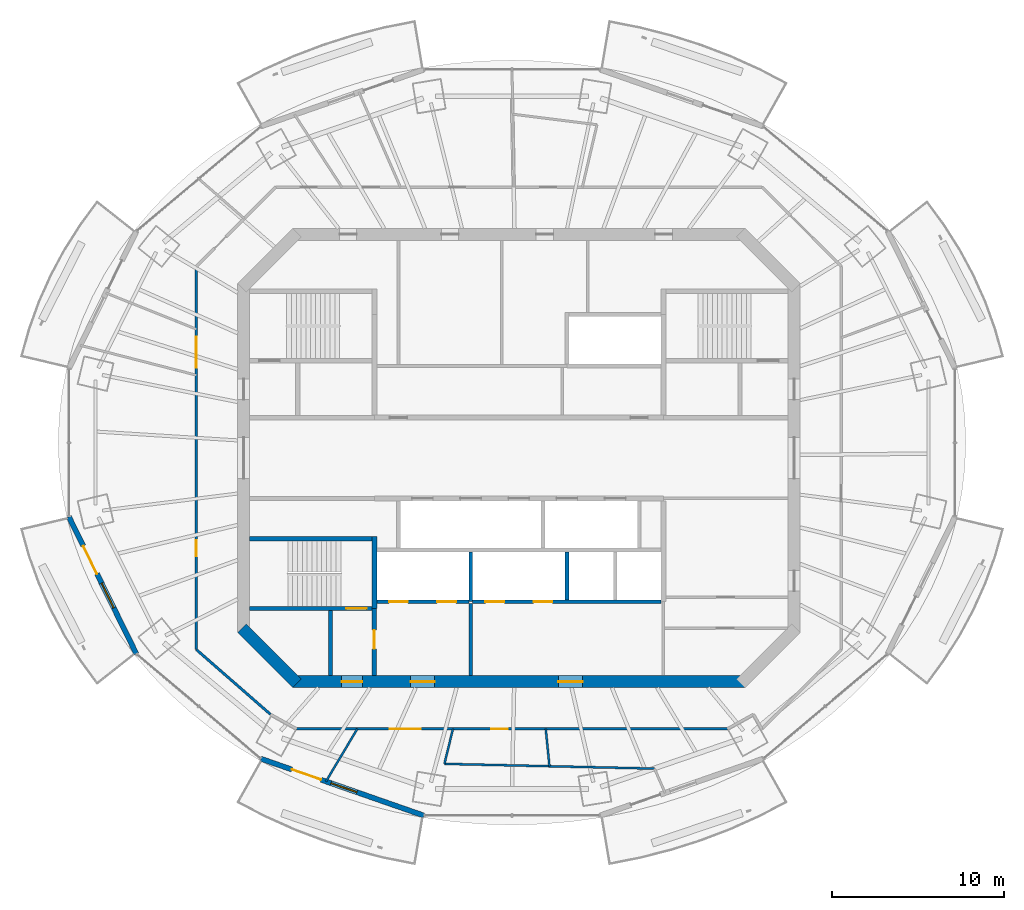
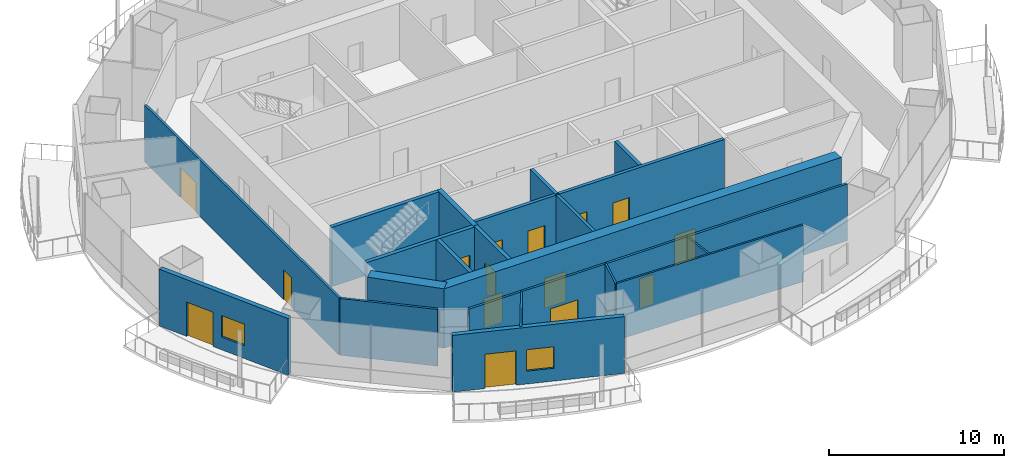
# One storey, part 8 of 16: 21 walls, 15 doors, 2 windows, 17 openings.
"""IFC4 building model written with IfcOpenShell, lengths in metres."""

from ifc_helpers import new_model, si_unit, direction, frame, frame_2d, origin, place, context, subcontext, project, spatial, rectangle, extrude, material, layer, layer_set, type_object, element, fill, save


model = new_model("IFC4")

# Units and contexts
model_context = context("Model", 3, precision=1e-05, world=origin(), true_north=direction((0.0, 1.0)))
body_context = subcontext(model_context, "Body", "Model", "MODEL_VIEW")
ifc_project = project(units=[si_unit("LENGTHUNIT", "METRE"), si_unit("AREAUNIT", "SQUARE_METRE"), si_unit("VOLUMEUNIT", "CUBIC_METRE"), si_unit("PLANEANGLEUNIT", "RADIAN"), si_unit("MASSUNIT", "GRAM", prefix="KILO")], contexts=[model_context])

# Site, building, storey
site_placement = place(None, origin())
site = spatial("IfcSite", under=ifc_project, at=site_placement, CompositionType="ELEMENT")
building_placement = place(site_placement, origin())
building = spatial("IfcBuilding", under=site, at=building_placement, Name="Marenthal Gate Tower", CompositionType="ELEMENT")
storey_placement = place(building_placement, frame((0.0, 0.0, 363.35009765625)))
storey = spatial("IfcBuildingStorey", under=building, at=storey_placement, Name="L82", CompositionType="ELEMENT", Elevation=363.35009765625)

# Wall
ifc_material_1 = material(Name="Concrete 60 MPa", Category="concrete")
ifc_layer_1 = layer(ifc_material_1, 0.699951171875)
ifc_layer_set_1 = layer_set([ifc_layer_1], Name="Core shear wall 700")
wall_type_1 = type_object("IfcWallType", Name="Core shear wall 700", PredefinedType="SHEAR", material=ifc_layer_set_1)
wall_1_placement = place(storey_placement, frame((-16.1025390625, -9.8974609375, -0.18017578125), z_axis=(0.0, 0.0, 1.0), x_axis=(0.707106781187, -0.707106781187, 0.0)))
element("IfcWall", 1, at=wall_1_placement, inside=storey, type_object=wall_type_1, Name="Core wall 07", PredefinedType="SHEAR", context=body_context, shape_type="SweptSolid", body=[
    extrude(rectangle(XDim=4.53271484375, YDim=0.699951171875, at=frame_2d((2.266357421875, 0.0))), origin(), (0.0, 0.0, 1.0), 4.150146484375),
])

# Wall, openings, doors
wall_2_placement = place(storey_placement, frame((-13.14501953125, -13.0, -0.18017578125), z_axis=(0.0, 0.0, 1.0), x_axis=(1.0, 0.0, 0.0)))
wall_2 = element("IfcWall", 2, at=wall_2_placement, inside=storey, type_object=wall_type_1, Name="Core wall 08", PredefinedType="SHEAR", context=body_context, shape_type="SweptSolid", body=[
    extrude(rectangle(XDim=26.2900390625, YDim=0.699951171875, at=frame_2d((13.14501953125, 0.0))), origin(), (0.0, 0.0, 1.0), 4.150146484375),
])
opening_1_placement = place(wall_2_placement, frame((2.844970703125, 0.0, 0.179931640625)))
opening_1 = element("IfcOpeningElement", 3, at=opening_1_placement, cuts=wall_2, Name="Opening D001.06", PredefinedType="OPENING", context=body_context, shape_type="SweptSolid", body=[
    extrude(rectangle(XDim=1.199951171875, YDim=2.10009765625, at=frame_2d((0.60009765625, 1.050048828125))), frame((0.0, 0.35986328125, 0.0), z_axis=(0.0, -1.0, 0.0), x_axis=(1.0, 0.0, 0.0)), (0.0, 0.0, 1.0), 0.719970703125),
])
opening_2_placement = place(wall_2_placement, frame((6.844970703125, 0.0, 0.179931640625)))
opening_2 = element("IfcOpeningElement", 4, at=opening_2_placement, cuts=wall_2, Name="Opening D004.01", PredefinedType="OPENING", context=body_context, shape_type="SweptSolid", body=[
    extrude(rectangle(XDim=1.39990234375, YDim=2.10009765625, at=frame_2d((0.699951171875, 1.050048828125))), frame((0.0, 0.35986328125, 0.0), z_axis=(0.0, -1.0, 0.0), x_axis=(1.0, 0.0, 0.0)), (0.0, 0.0, 1.0), 0.719970703125),
])
opening_3_placement = place(wall_2_placement, frame((15.445068359375, 0.0, 0.179931640625)))
opening_3 = element("IfcOpeningElement", 5, at=opening_3_placement, cuts=wall_2, Name="Opening D004.02", PredefinedType="OPENING", context=body_context, shape_type="SweptSolid", body=[
    extrude(rectangle(XDim=1.39990234375, YDim=2.10009765625, at=frame_2d((0.699951171875, 1.050048828125))), frame((0.0, 0.35986328125, 0.0), z_axis=(0.0, -1.0, 0.0), x_axis=(1.0, 0.0, 0.0)), (0.0, 0.0, 1.0), 0.719970703125),
])
ifc_material_2 = material(Name="Steel fire door", Category="steel")
door_type_1 = type_object("IfcDoorType", Name="Fire door FD 45 1400 x 2100", OperationType="NOTDEFINED", PredefinedType="DOOR", material=ifc_material_2)
door_1_placement = place(opening_2_placement, origin())
door_1 = element("IfcDoor", 6, at=door_1_placement, inside=storey, type_object=door_type_1, Name="Door D004.01", OperationType="SINGLE_SWING_RIGHT", OverallHeight=2.10009765625, OverallWidth=1.39990234375, PredefinedType="DOOR", context=body_context, shape_type="SweptSolid", body=[
    extrude(rectangle(XDim=1.39990234375, YDim=2.10009765625, at=frame_2d((0.699951171875, 1.050048828125))), frame((0.0, 0.02490234375, 0.0), z_axis=(0.0, -1.0, 0.0), x_axis=(1.0, 0.0, 0.0)), (0.0, 0.0, 1.0), 0.050048828125),
])
fill(opening_2, door_1)
door_2_placement = place(opening_3_placement, origin())
door_2 = element("IfcDoor", 7, at=door_2_placement, inside=storey, type_object=door_type_1, Name="Door D004.02", OperationType="SINGLE_SWING_RIGHT", OverallHeight=2.10009765625, OverallWidth=1.39990234375, PredefinedType="DOOR", context=body_context, shape_type="SweptSolid", body=[
    extrude(rectangle(XDim=1.39990234375, YDim=2.10009765625, at=frame_2d((0.699951171875, 1.050048828125))), frame((0.0, 0.02490234375, 0.0), z_axis=(0.0, -1.0, 0.0), x_axis=(1.0, 0.0, 0.0)), (0.0, 0.0, 1.0), 0.050048828125),
])
fill(opening_3, door_2)
ifc_material_3 = material(Name="Steel fire door", Category="steel")
door_type_2 = type_object("IfcDoorType", Name="Fire door FD 90 1200 x 2100", OperationType="NOTDEFINED", PredefinedType="DOOR", material=ifc_material_3)
door_3_placement = place(opening_1_placement, origin())
door_3 = element("IfcDoor", 8, at=door_3_placement, inside=storey, type_object=door_type_2, Name="Door D001.06", OperationType="SINGLE_SWING_RIGHT", OverallHeight=2.10009765625, OverallWidth=1.199951171875, PredefinedType="DOOR", context=body_context, shape_type="SweptSolid", body=[
    extrude(rectangle(XDim=1.199951171875, YDim=2.10009765625, at=frame_2d((0.60009765625, 1.050048828125))), frame((0.0, 0.02490234375, 0.0), z_axis=(0.0, -1.0, 0.0), x_axis=(1.0, 0.0, 0.0)), (0.0, 0.0, 1.0), 0.050048828125),
])
fill(opening_1, door_3)

# Walls
ifc_material_4 = material(Name="Gypsum board on steel studs", Category="steel")
ifc_layer_2 = layer(ifc_material_4, 0.199951171875)
ifc_layer_set_2 = layer_set([ifc_layer_2], Name="Fire lobby wall 200")
wall_type_2 = type_object("IfcWallType", Name="Fire lobby wall 200", PredefinedType="PARTITIONING", material=ifc_layer_set_2)
wall_3_placement = place(storey_placement, frame((-2.800048828125, -12.64990234375, 0.0), z_axis=(0.0, 0.0, 1.0), x_axis=(0.0, 1.0, 0.0)))
element("IfcWall", 9, at=wall_3_placement, inside=storey, type_object=wall_type_2, Name="Fire wall 37", PredefinedType="PARTITIONING", context=body_context, shape_type="SweptSolid", body=[
    extrude(rectangle(XDim=4.18994140625, YDim=0.199951171875, at=frame_2d((2.094970703125, 0.0))), origin(), (0.0, 0.0, 1.0), 3.969970703125),
])
ifc_material_5 = material(Name="Concrete 50 MPa", Category="concrete")
ifc_layer_3 = layer(ifc_material_5, 0.300048828125)
ifc_layer_set_3 = layer_set([ifc_layer_3], Name="Hoistway shear wall 300")
wall_type_3 = type_object("IfcWallType", Name="Hoistway shear wall 300", PredefinedType="SHEAR", material=ifc_layer_set_3)
wall_4_placement = place(storey_placement, frame((-8.39990234375, -8.75, -0.18017578125), z_axis=(0.0, 0.0, 1.0), x_axis=(0.0, 1.0, 0.0)))
element("IfcWall", 10, at=wall_4_placement, inside=storey, type_object=wall_type_3, Name="Hoistway wall 32", PredefinedType="SHEAR", context=body_context, shape_type="SweptSolid", body=[
    extrude(rectangle(XDim=4.175048828125, YDim=0.300048828125, at=frame_2d((2.08740234375, 0.0))), origin(), (0.0, 0.0, 1.0), 4.150146484375),
])

# Wall, openings, doors
ifc_material_6 = material(Name="Concrete 40 MPa", Category="concrete")
ifc_layer_4 = layer(ifc_material_6, 0.219970703125)
ifc_layer_set_4 = layer_set([ifc_layer_4], Name="Hoistway wall 220")
wall_type_4 = type_object("IfcWallType", Name="Hoistway wall 220", PredefinedType="STANDARD", material=ifc_layer_set_4)
wall_5_placement = place(storey_placement, frame((-8.25, -8.35009765625, 0.0), z_axis=(0.0, 0.0, 1.0), x_axis=(1.0, 0.0, 0.0)))
wall_5 = element("IfcWall", 11, at=wall_5_placement, inside=storey, type_object=wall_type_4, Name="Hoistway wall 11", PredefinedType="STANDARD", context=body_context, shape_type="SweptSolid", body=[
    extrude(rectangle(XDim=5.340087890625, YDim=0.219970703125, at=frame_2d((2.669921875, 0.0))), origin(), (0.0, 0.0, 1.0), 3.969970703125),
])
opening_4_placement = place(wall_5_placement, frame((0.699951171875, 0.0, 0.0)))
opening_4 = element("IfcOpeningElement", 12, at=opening_4_placement, cuts=wall_5, Name="Opening LD-LF1", PredefinedType="OPENING", context=body_context, shape_type="SweptSolid", body=[
    extrude(rectangle(XDim=1.10009765625, YDim=2.10009765625, at=frame_2d((0.550048828125, 1.050048828125))), frame((0.0, 0.1201171875, 0.0), z_axis=(0.0, -1.0, 0.0), x_axis=(1.0, 0.0, 0.0)), (0.0, 0.0, 1.0), 0.239990234375),
])
opening_5_placement = place(wall_5_placement, frame((3.5, 0.0, 0.0)))
opening_5 = element("IfcOpeningElement", 13, at=opening_5_placement, cuts=wall_5, Name="Opening LD-LF2", PredefinedType="OPENING", context=body_context, shape_type="SweptSolid", body=[
    extrude(rectangle(XDim=1.10009765625, YDim=2.10009765625, at=frame_2d((0.550048828125, 1.050048828125))), frame((0.0, 0.1201171875, 0.0), z_axis=(0.0, -1.0, 0.0), x_axis=(1.0, 0.0, 0.0)), (0.0, 0.0, 1.0), 0.239990234375),
])
ifc_material_7 = material(Name="Stainless steel sliding door", Category="steel")
door_type_3 = type_object("IfcDoorType", Name="Lift landing door FD 90 1100 x 2100", OperationType="DOUBLE_DOOR_SLIDING", PredefinedType="DOOR", material=ifc_material_7)
door_4_placement = place(opening_4_placement, origin())
door_4 = element("IfcDoor", 14, at=door_4_placement, inside=storey, type_object=door_type_3, Name="Lift landing door LF1", OperationType="DOUBLE_DOOR_SLIDING", OverallHeight=2.10009765625, OverallWidth=1.10009765625, PredefinedType="DOOR", context=body_context, shape_type="SweptSolid", body=[
    extrude(rectangle(XDim=1.10009765625, YDim=2.10009765625, at=frame_2d((0.550048828125, 1.050048828125))), frame((0.0, 0.02490234375, 0.0), z_axis=(0.0, -1.0, 0.0), x_axis=(1.0, 0.0, 0.0)), (0.0, 0.0, 1.0), 0.050048828125),
])
fill(opening_4, door_4)
door_5_placement = place(opening_5_placement, origin())
door_5 = element("IfcDoor", 15, at=door_5_placement, inside=storey, type_object=door_type_3, Name="Lift landing door LF2", OperationType="DOUBLE_DOOR_SLIDING", OverallHeight=2.10009765625, OverallWidth=1.10009765625, PredefinedType="DOOR", context=body_context, shape_type="SweptSolid", body=[
    extrude(rectangle(XDim=1.10009765625, YDim=2.10009765625, at=frame_2d((0.550048828125, 1.050048828125))), frame((0.0, 0.02490234375, 0.0), z_axis=(0.0, -1.0, 0.0), x_axis=(1.0, 0.0, 0.0)), (0.0, 0.0, 1.0), 0.050048828125),
])
fill(opening_5, door_5)

wall_6_placement = place(storey_placement, frame((-2.68994140625, -8.35009765625, 0.0), z_axis=(0.0, 0.0, 1.0), x_axis=(1.0, 0.0, 0.0)))
wall_6 = element("IfcWall", 16, at=wall_6_placement, inside=storey, type_object=wall_type_4, Name="Hoistway wall 12", PredefinedType="STANDARD", context=body_context, shape_type="SweptSolid", body=[
    extrude(rectangle(XDim=10.93994140625, YDim=0.219970703125, at=frame_2d((5.469970703125, 0.0))), origin(), (0.0, 0.0, 1.0), 3.969970703125),
])
opening_6_placement = place(wall_6_placement, frame((0.739990234375, 0.0, 0.0)))
opening_6 = element("IfcOpeningElement", 17, at=opening_6_placement, cuts=wall_6, Name="Opening LD-SV1", PredefinedType="OPENING", context=body_context, shape_type="SweptSolid", body=[
    extrude(rectangle(XDim=1.10009765625, YDim=2.10009765625, at=frame_2d((0.550048828125, 1.050048828125))), frame((0.0, 0.1201171875, 0.0), z_axis=(0.0, -1.0, 0.0), x_axis=(1.0, 0.0, 0.0)), (0.0, 0.0, 1.0), 0.239990234375),
])
opening_7_placement = place(wall_6_placement, frame((3.5400390625, 0.0, 0.0)))
opening_7 = element("IfcOpeningElement", 18, at=opening_7_placement, cuts=wall_6, Name="Opening LD-SV2", PredefinedType="OPENING", context=body_context, shape_type="SweptSolid", body=[
    extrude(rectangle(XDim=1.10009765625, YDim=2.10009765625, at=frame_2d((0.550048828125, 1.050048828125))), frame((0.0, 0.1201171875, 0.0), z_axis=(0.0, -1.0, 0.0), x_axis=(1.0, 0.0, 0.0)), (0.0, 0.0, 1.0), 0.239990234375),
])
door_6_placement = place(opening_6_placement, origin())
door_6 = element("IfcDoor", 19, at=door_6_placement, inside=storey, type_object=door_type_3, Name="Lift landing door SV1", OperationType="DOUBLE_DOOR_SLIDING", OverallHeight=2.10009765625, OverallWidth=1.10009765625, PredefinedType="DOOR", context=body_context, shape_type="SweptSolid", body=[
    extrude(rectangle(XDim=1.10009765625, YDim=2.10009765625, at=frame_2d((0.550048828125, 1.050048828125))), frame((0.0, 0.02490234375, 0.0), z_axis=(0.0, -1.0, 0.0), x_axis=(1.0, 0.0, 0.0)), (0.0, 0.0, 1.0), 0.050048828125),
])
fill(opening_6, door_6)
door_7_placement = place(opening_7_placement, origin())
door_7 = element("IfcDoor", 20, at=door_7_placement, inside=storey, type_object=door_type_3, Name="Lift landing door SV2", OperationType="DOUBLE_DOOR_SLIDING", OverallHeight=2.10009765625, OverallWidth=1.10009765625, PredefinedType="DOOR", context=body_context, shape_type="SweptSolid", body=[
    extrude(rectangle(XDim=1.10009765625, YDim=2.10009765625, at=frame_2d((0.550048828125, 1.050048828125))), frame((0.0, 0.02490234375, 0.0), z_axis=(0.0, -1.0, 0.0), x_axis=(1.0, 0.0, 0.0)), (0.0, 0.0, 1.0), 0.050048828125),
])
fill(opening_7, door_7)

# Walls
wall_7_placement = place(storey_placement, frame((-2.800048828125, -8.35009765625, 0.0), z_axis=(0.0, 0.0, 1.0), x_axis=(0.0, 1.0, 0.0)))
element("IfcWall", 21, at=wall_7_placement, inside=storey, type_object=wall_type_4, Name="Hoistway wall 38", PredefinedType="STANDARD", context=body_context, shape_type="SweptSolid", body=[
    extrude(rectangle(XDim=2.89013671875, YDim=0.219970703125, at=frame_2d((1.445068359375, 0.0))), origin(), (0.0, 0.0, 1.0), 3.969970703125),
])
wall_8_placement = place(storey_placement, frame((2.800048828125, -8.239990234375, 0.0), z_axis=(0.0, 0.0, 1.0), x_axis=(0.0, 1.0, 0.0)))
element("IfcWall", 22, at=wall_8_placement, inside=storey, type_object=wall_type_4, Name="Hoistway wall 42", PredefinedType="STANDARD", context=body_context, shape_type="SweptSolid", body=[
    extrude(rectangle(XDim=2.780029296875, YDim=0.219970703125, at=frame_2d((1.39013671875, 0.0))), origin(), (0.0, 0.0, 1.0), 3.969970703125),
])
ifc_material_8 = material(Name="Gypsum board on steel studs", Category="steel")
ifc_layer_5 = layer(ifc_material_8, 0.1201171875)
ifc_layer_set_5 = layer_set([ifc_layer_5], Name="Partition 120")
wall_type_5 = type_object("IfcWallType", Name="Partition 120", PredefinedType="PARTITIONING", material=ifc_layer_set_5)
wall_9_placement = place(storey_placement, frame((-9.39501953125, -15.75, 0.0), z_axis=(0.0, 0.0, 1.0), x_axis=(-0.512250738002, -0.858835945578, 0.0)))
element("IfcWall", 23, at=wall_9_placement, inside=storey, type_object=wall_type_5, Name="Partition wall 61", PredefinedType="PARTITIONING", context=body_context, shape_type="SweptSolid", body=[
    extrude(rectangle(XDim=3.552978515625, YDim=0.1201171875, at=frame_2d((1.7763671875, 0.0))), origin(), (0.0, 0.0, 1.0), 3.969970703125),
])
wall_10_placement = place(storey_placement, frame((-4.32861328125, -17.78125, 0.0), z_axis=(0.0, 0.0, 1.0), x_axis=(0.999747193502, -0.02248441871, 0.0)))
element("IfcWall", 24, at=wall_10_placement, inside=storey, type_object=wall_type_5, Name="Partition wall 63", PredefinedType="PARTITIONING", context=body_context, shape_type="SweptSolid", body=[
    extrude(rectangle(XDim=12.215576171875, YDim=0.1201171875, at=frame_2d((6.10791015625, 0.0))), origin(), (0.0, 0.0, 1.0), 3.969970703125),
])
wall_11_placement = place(storey_placement, frame((-4.32861328125, -17.78125, 0.0), z_axis=(0.0, 0.0, 1.0), x_axis=(0.236595923388, 0.971608135534, 0.0)))
element("IfcWall", 25, at=wall_11_placement, inside=storey, type_object=wall_type_5, Name="Partition wall 64", PredefinedType="PARTITIONING", context=body_context, shape_type="SweptSolid", body=[
    extrude(rectangle(XDim=2.090576171875, YDim=0.1201171875, at=frame_2d((1.04541015625, 0.0))), origin(), (0.0, 0.0, 1.0), 3.969970703125),
])
wall_12_placement = place(storey_placement, frame((1.777587890625, -17.918701171875, 0.0), z_axis=(0.0, 0.0, 1.0), x_axis=(-0.098694000634, 0.995117829324, 0.0)))
element("IfcWall", 26, at=wall_12_placement, inside=storey, type_object=wall_type_5, Name="Partition wall 66", PredefinedType="PARTITIONING", context=body_context, shape_type="SweptSolid", body=[
    extrude(rectangle(XDim=2.179443359375, YDim=0.1201171875, at=frame_2d((1.08984375, 0.0))), origin(), (0.0, 0.0, 1.0), 3.969970703125),
])

# Wall, openings, doors
ifc_material_9 = material(Name="Gypsum board on steel studs", Category="steel")
ifc_layer_6 = layer(ifc_material_9, 0.14990234375)
ifc_layer_set_6 = layer_set([ifc_layer_6], Name="Partition 150")
wall_type_6 = type_object("IfcWallType", Name="Partition 150", PredefinedType="PARTITIONING", material=ifc_layer_set_6)
wall_13_placement = place(storey_placement, frame((-18.75, -11.13916015625, 0.0), z_axis=(0.0, 0.0, 1.0), x_axis=(0.0, 1.0, 0.0)))
wall_13 = element("IfcWall", 27, at=wall_13_placement, inside=storey, type_object=wall_type_6, Name="Partition wall 52", PredefinedType="PARTITIONING", context=body_context, shape_type="SweptSolid", body=[
    extrude(rectangle(XDim=22.2783203125, YDim=0.14990234375, at=frame_2d((11.13916015625, 0.0))), origin(), (0.0, 0.0, 1.0), 3.969970703125),
])
opening_8_placement = place(wall_13_placement, frame((16.39501953125, 0.0, 0.0)))
opening_8 = element("IfcOpeningElement", 28, at=opening_8_placement, cuts=wall_13, Name="Opening D014.02", PredefinedType="OPENING", context=body_context, shape_type="SweptSolid", body=[
    extrude(rectangle(XDim=1.800048828125, YDim=2.10009765625, at=frame_2d((0.89990234375, 1.050048828125))), frame((0.0, 0.0849609375, 0.0), z_axis=(0.0, -1.0, 0.0), x_axis=(1.0, 0.0, 0.0)), (0.0, 0.0, 1.0), 0.169921875),
])
opening_9_placement = place(wall_13_placement, frame((5.4169921875, 0.0, 0.0)))
opening_9 = element("IfcOpeningElement", 29, at=opening_9_placement, cuts=wall_13, Name="Opening D016.06", PredefinedType="OPENING", context=body_context, shape_type="SweptSolid", body=[
    extrude(rectangle(XDim=0.949951171875, YDim=2.10009765625, at=frame_2d((0.47509765625, 1.050048828125))), frame((0.0, 0.0849609375, 0.0), z_axis=(0.0, -1.0, 0.0), x_axis=(1.0, 0.0, 0.0)), (0.0, 0.0, 1.0), 0.169921875),
])
ifc_material_10 = material(Name="Timber door", Category="wood")
door_type_4 = type_object("IfcDoorType", Name="Door 950 x 2100", OperationType="NOTDEFINED", PredefinedType="DOOR", material=ifc_material_10)
door_8_placement = place(opening_9_placement, origin())
door_8 = element("IfcDoor", 30, at=door_8_placement, inside=storey, type_object=door_type_4, Name="Door D016.06", OperationType="SINGLE_SWING_RIGHT", OverallHeight=2.10009765625, OverallWidth=0.949951171875, PredefinedType="DOOR", context=body_context, shape_type="SweptSolid", body=[
    extrude(rectangle(XDim=0.949951171875, YDim=2.10009765625, at=frame_2d((0.47509765625, 1.050048828125))), frame((0.0, 0.02490234375, 0.0), z_axis=(0.0, -1.0, 0.0), x_axis=(1.0, 0.0, 0.0)), (0.0, 0.0, 1.0), 0.050048828125),
])
fill(opening_9, door_8)
ifc_material_11 = material(Name="Timber door", Category="wood")
door_type_5 = type_object("IfcDoorType", Name="Double door 1800 x 2100", OperationType="DOUBLE_DOOR_SINGLE_SWING", PredefinedType="DOOR", material=ifc_material_11)
door_9_placement = place(opening_8_placement, origin())
door_9 = element("IfcDoor", 31, at=door_9_placement, inside=storey, type_object=door_type_5, Name="Door D014.02", OperationType="DOUBLE_DOOR_SINGLE_SWING", OverallHeight=2.10009765625, OverallWidth=1.800048828125, PredefinedType="DOOR", context=body_context, shape_type="SweptSolid", body=[
    extrude(rectangle(XDim=1.800048828125, YDim=2.10009765625, at=frame_2d((0.89990234375, 1.050048828125))), frame((0.0, 0.02490234375, 0.0), z_axis=(0.0, -1.0, 0.0), x_axis=(1.0, 0.0, 0.0)), (0.0, 0.0, 1.0), 0.050048828125),
])
fill(opening_8, door_9)

# Wall
wall_14_placement = place(storey_placement, frame((-14.439453125, -14.9033203125, 0.0), z_axis=(0.0, 0.0, 1.0), x_axis=(-0.753231723651, 0.657755251204, 0.0)))
element("IfcWall", 32, at=wall_14_placement, inside=storey, type_object=wall_type_6, Name="Partition wall 57", PredefinedType="PARTITIONING", context=body_context, shape_type="SweptSolid", body=[
    extrude(rectangle(XDim=5.72265625, YDim=0.14990234375, at=frame_2d((2.861328125, 0.0))), origin(), (0.0, 0.0, 1.0), 3.969970703125),
])

# Wall, openings, doors
wall_15_placement = place(storey_placement, frame((12.115966796875, -15.75, 0.0), z_axis=(0.0, 0.0, 1.0), x_axis=(-1.0, 0.0, 0.0)))
wall_15 = element("IfcWall", 33, at=wall_15_placement, inside=storey, type_object=wall_type_6, Name="Partition wall 70", PredefinedType="PARTITIONING", context=body_context, shape_type="SweptSolid", body=[
    extrude(rectangle(XDim=25.031982421875, YDim=0.14990234375, at=frame_2d((12.51611328125, 0.0))), origin(), (0.0, 0.0, 1.0), 3.969970703125),
])
opening_10_placement = place(wall_15_placement, frame((12.77587890625, 0.0, 0.0)))
opening_10 = element("IfcOpeningElement", 34, at=opening_10_placement, cuts=wall_15, Name="Opening D016.07", PredefinedType="OPENING", context=body_context, shape_type="SweptSolid", body=[
    extrude(rectangle(XDim=0.949951171875, YDim=2.10009765625, at=frame_2d((0.47509765625, 1.050048828125))), frame((0.0, 0.0849609375, 0.0), z_axis=(0.0, -1.0, 0.0), x_axis=(1.0, 0.0, 0.0)), (0.0, 0.0, 1.0), 0.169921875),
])
opening_11_placement = place(wall_15_placement, frame((17.8310546875, 0.0, 0.0)))
opening_11 = element("IfcOpeningElement", 35, at=opening_11_placement, cuts=wall_15, Name="Opening D014.03", PredefinedType="OPENING", context=body_context, shape_type="SweptSolid", body=[
    extrude(rectangle(XDim=1.800048828125, YDim=2.10009765625, at=frame_2d((0.89990234375, 1.050048828125))), frame((0.0, 0.0849609375, 0.0), z_axis=(0.0, -1.0, 0.0), x_axis=(1.0, 0.0, 0.0)), (0.0, 0.0, 1.0), 0.169921875),
])
door_10_placement = place(opening_10_placement, origin())
door_10 = element("IfcDoor", 36, at=door_10_placement, inside=storey, type_object=door_type_4, Name="Door D016.07", OperationType="SINGLE_SWING_RIGHT", OverallHeight=2.10009765625, OverallWidth=0.949951171875, PredefinedType="DOOR", context=body_context, shape_type="SweptSolid", body=[
    extrude(rectangle(XDim=0.949951171875, YDim=2.10009765625, at=frame_2d((0.47509765625, 1.050048828125))), frame((0.0, 0.02490234375, 0.0), z_axis=(0.0, -1.0, 0.0), x_axis=(1.0, 0.0, 0.0)), (0.0, 0.0, 1.0), 0.050048828125),
])
fill(opening_10, door_10)
door_11_placement = place(opening_11_placement, origin())
door_11 = element("IfcDoor", 37, at=door_11_placement, inside=storey, type_object=door_type_5, Name="Door D014.03", OperationType="DOUBLE_DOOR_SINGLE_SWING", OverallHeight=2.10009765625, OverallWidth=1.800048828125, PredefinedType="DOOR", context=body_context, shape_type="SweptSolid", body=[
    extrude(rectangle(XDim=1.800048828125, YDim=2.10009765625, at=frame_2d((0.89990234375, 1.050048828125))), frame((0.0, 0.02490234375, 0.0), z_axis=(0.0, -1.0, 0.0), x_axis=(1.0, 0.0, 0.0)), (0.0, 0.0, 1.0), 0.050048828125),
])
fill(opening_11, door_11)

# Wall
ifc_material_12 = material(Name="Concrete 40 MPa", Category="concrete")
ifc_layer_7 = layer(ifc_material_12, 0.25)
ifc_layer_set_7 = layer_set([ifc_layer_7], Name="Stair enclosure wall 250")
wall_type_7 = type_object("IfcWallType", Name="Stair enclosure wall 250", PredefinedType="STANDARD", material=ifc_layer_set_7)
wall_16_placement = place(storey_placement, frame((-10.949951171875, -12.64990234375, 0.0), z_axis=(0.0, 0.0, 1.0), x_axis=(0.0, 1.0, 0.0)))
element("IfcWall", 38, at=wall_16_placement, inside=storey, type_object=wall_type_7, Name="Stair wall 30", PredefinedType="STANDARD", context=body_context, shape_type="SweptSolid", body=[
    extrude(rectangle(XDim=3.77490234375, YDim=0.25, at=frame_2d((1.887451171875, 0.0))), origin(), (0.0, 0.0, 1.0), 3.969970703125),
])

# Wall, opening, door
wall_17_placement = place(storey_placement, frame((-8.39990234375, -12.64990234375, 0.0), z_axis=(0.0, 0.0, 1.0), x_axis=(0.0, 1.0, 0.0)))
wall_17 = element("IfcWall", 39, at=wall_17_placement, inside=storey, type_object=wall_type_7, Name="Stair wall 31", PredefinedType="STANDARD", context=body_context, shape_type="SweptSolid", body=[
    extrude(rectangle(XDim=3.89990234375, YDim=0.25, at=frame_2d((1.949951171875, 0.0))), origin(), (0.0, 0.0, 1.0), 3.969970703125),
])
opening_12_placement = place(wall_17_placement, frame((1.550048828125, 0.0, 0.0)))
opening_12 = element("IfcOpeningElement", 40, at=opening_12_placement, cuts=wall_17, Name="Opening D002.01", PredefinedType="OPENING", context=body_context, shape_type="SweptSolid", body=[
    extrude(rectangle(XDim=1.10009765625, YDim=2.10009765625, at=frame_2d((0.550048828125, 1.050048828125))), frame((0.0, 0.135009765625, 0.0), z_axis=(0.0, -1.0, 0.0), x_axis=(1.0, 0.0, 0.0)), (0.0, 0.0, 1.0), 0.27001953125),
])
ifc_material_13 = material(Name="Steel fire door", Category="steel")
door_type_6 = type_object("IfcDoorType", Name="Fire door FD 90 1100 x 2100", OperationType="NOTDEFINED", PredefinedType="DOOR", material=ifc_material_13)
door_12_placement = place(opening_12_placement, origin())
door_12 = element("IfcDoor", 41, at=door_12_placement, inside=storey, type_object=door_type_6, Name="Door D002.01", OperationType="SINGLE_SWING_RIGHT", OverallHeight=2.10009765625, OverallWidth=1.10009765625, PredefinedType="DOOR", context=body_context, shape_type="SweptSolid", body=[
    extrude(rectangle(XDim=1.10009765625, YDim=2.10009765625, at=frame_2d((0.550048828125, 1.050048828125))), frame((0.0, 0.02490234375, 0.0), z_axis=(0.0, -1.0, 0.0), x_axis=(1.0, 0.0, 0.0)), (0.0, 0.0, 1.0), 0.050048828125),
])
fill(opening_12, door_12)

ifc_material_14 = material(Name="Concrete 50 MPa", Category="concrete")
ifc_layer_8 = layer(ifc_material_14, 0.25)
ifc_layer_set_8 = layer_set([ifc_layer_8], Name="Stair shear wall 250")
wall_type_8 = type_object("IfcWallType", Name="Stair shear wall 250", PredefinedType="SHEAR", material=ifc_layer_set_8)
wall_18_placement = place(storey_placement, frame((-15.64990234375, -8.75, -0.18017578125), z_axis=(0.0, 0.0, 1.0), x_axis=(1.0, 0.0, 0.0)))
wall_18 = element("IfcWall", 42, at=wall_18_placement, inside=storey, type_object=wall_type_8, Name="Stair wall 10", PredefinedType="SHEAR", context=body_context, shape_type="SweptSolid", body=[
    extrude(rectangle(XDim=7.099853515625, YDim=0.25, at=frame_2d((3.5498046875, 0.0))), origin(), (0.0, 0.0, 1.0), 4.150146484375),
])
opening_13_placement = place(wall_18_placement, frame((5.60009765625, 0.0, 0.179931640625)))
opening_13 = element("IfcOpeningElement", 43, at=opening_13_placement, cuts=wall_18, Name="Opening D001.03", PredefinedType="OPENING", context=body_context, shape_type="SweptSolid", body=[
    extrude(rectangle(XDim=1.199951171875, YDim=2.10009765625, at=frame_2d((0.60009765625, 1.050048828125))), frame((0.0, 0.135009765625, 0.0), z_axis=(0.0, -1.0, 0.0), x_axis=(1.0, 0.0, 0.0)), (0.0, 0.0, 1.0), 0.27001953125),
])
door_13_placement = place(opening_13_placement, origin())
door_13 = element("IfcDoor", 44, at=door_13_placement, inside=storey, type_object=door_type_2, Name="Door D001.03", OperationType="SINGLE_SWING_RIGHT", OverallHeight=2.10009765625, OverallWidth=1.199951171875, PredefinedType="DOOR", context=body_context, shape_type="SweptSolid", body=[
    extrude(rectangle(XDim=1.199951171875, YDim=2.10009765625, at=frame_2d((0.60009765625, 1.050048828125))), frame((0.0, 0.02490234375, 0.0), z_axis=(0.0, -1.0, 0.0), x_axis=(1.0, 0.0, 0.0)), (0.0, 0.0, 1.0), 0.050048828125),
])
fill(opening_13, door_13)

# Wall
wall_19_placement = place(storey_placement, frame((-15.64990234375, -4.699951171875, -0.18017578125), z_axis=(0.0, 0.0, 1.0), x_axis=(1.0, 0.0, 0.0)))
element("IfcWall", 45, at=wall_19_placement, inside=storey, type_object=wall_type_8, Name="Stair wall 15", PredefinedType="SHEAR", context=body_context, shape_type="SweptSolid", body=[
    extrude(rectangle(XDim=7.099853515625, YDim=0.25, at=frame_2d((3.5498046875, 0.0))), origin(), (0.0, 0.0, 1.0), 4.150146484375),
])

# Wall, openings, door, window
ifc_material_15 = material(Name="Terracotta cladding on insulated concrete-block backing", Category="masonry")
ifc_layer_9 = layer(ifc_material_15, 0.300048828125)
ifc_layer_set_9 = layer_set([ifc_layer_9], Name="Terracotta facade wall 300")
wall_type_9 = type_object("IfcWallType", Name="Terracotta facade wall 300", PredefinedType="SOLIDWALL", material=ifc_layer_set_9)
wall_20_placement = place(storey_placement, frame((-26.160400390625, -3.41357421875, 0.0), z_axis=(0.0, 0.0, 1.0), x_axis=(0.441487983718, -0.897267162128, 0.0)))
wall_20 = element("IfcWall", 46, at=wall_20_placement, inside=storey, type_object=wall_type_9, Name="Terracotta facade wall L82 bay 9", PredefinedType="SOLIDWALL", context=body_context, shape_type="SweptSolid", body=[
    extrude(rectangle(XDim=8.88330078125, YDim=0.300048828125, at=frame_2d((4.441650390625, 0.0))), origin(), (0.0, 0.0, 1.0), 3.969970703125),
])
opening_14_placement = place(wall_20_placement, frame((1.89990234375, 0.0, 0.0)))
opening_14 = element("IfcOpeningElement", 47, at=opening_14_placement, cuts=wall_20, Name="Opening BD-L82-09", PredefinedType="OPENING", context=body_context, shape_type="SweptSolid", body=[
    extrude(rectangle(XDim=1.800048828125, YDim=2.39990234375, at=frame_2d((0.89990234375, 1.199951171875))), frame((0.0, 0.16015625, 0.0), z_axis=(0.0, -1.0, 0.0), x_axis=(1.0, 0.0, 0.0)), (0.0, 0.0, 1.0), 0.320068359375),
])
opening_15_placement = place(wall_20_placement, frame((4.300048828125, 0.0, 0.89990234375)))
opening_15 = element("IfcOpeningElement", 48, at=opening_15_placement, cuts=wall_20, Name="Opening WN3-L82-09", PredefinedType="OPENING", context=body_context, shape_type="SweptSolid", body=[
    extrude(rectangle(XDim=1.60009765625, YDim=1.5, at=frame_2d((0.800048828125, 0.75))), frame((0.0, 0.16015625, 0.0), z_axis=(0.0, -1.0, 0.0), x_axis=(1.0, 0.0, 0.0)), (0.0, 0.0, 1.0), 0.320068359375),
])
ifc_material_16 = material(Name="Aluminium and glass", Category="aluminium")
door_type_7 = type_object("IfcDoorType", Name="Balcony door 1800x2400", OperationType="DOUBLE_DOOR_SINGLE_SWING", PredefinedType="DOOR", material=ifc_material_16)
door_14_placement = place(opening_14_placement, origin())
door_14 = element("IfcDoor", 49, at=door_14_placement, inside=storey, type_object=door_type_7, Name="Balcony door L82 bay 9", OperationType="SINGLE_SWING_LEFT", OverallHeight=2.39990234375, OverallWidth=1.800048828125, PredefinedType="DOOR", context=body_context, shape_type="SweptSolid", body=[
    extrude(rectangle(XDim=1.800048828125, YDim=2.39990234375, at=frame_2d((0.89990234375, 1.199951171875))), frame((0.0, 0.02490234375, 0.0), z_axis=(0.0, -1.0, 0.0), x_axis=(1.0, 0.0, 0.0)), (0.0, 0.0, 1.0), 0.050048828125),
])
fill(opening_14, door_14)
ifc_material_17 = material(Name="Aluminium and glass", Category="aluminium")
window_type = type_object("IfcWindowType", Name="Window 1600x1500", PartitioningType="DOUBLE_PANEL_VERTICAL", PredefinedType="WINDOW", material=ifc_material_17)
window_1_placement = place(opening_15_placement, origin())
window_1 = element("IfcWindow", 50, at=window_1_placement, inside=storey, type_object=window_type, Name="Window L82 bay 9", OverallHeight=1.5, OverallWidth=1.60009765625, PartitioningType="SINGLE_PANEL", PredefinedType="WINDOW", context=body_context, shape_type="SweptSolid", body=[
    extrude(rectangle(XDim=1.60009765625, YDim=1.5, at=frame_2d((0.800048828125, 0.75))), frame((0.0, 0.030029296875, 0.0), z_axis=(0.0, -1.0, 0.0), x_axis=(1.0, 0.0, 0.0)), (0.0, 0.0, 1.0), 0.06005859375),
])
fill(opening_15, window_1)

wall_21_placement = place(storey_placement, frame((-14.9921875, -17.484619140625, 0.0), z_axis=(0.0, 0.0, 1.0), x_axis=(0.944242611416, -0.329250498535, 0.0)))
wall_21 = element("IfcWall", 51, at=wall_21_placement, inside=storey, type_object=wall_type_9, Name="Terracotta facade wall L82 bay 11", PredefinedType="SOLIDWALL", context=body_context, shape_type="SweptSolid", body=[
    extrude(rectangle(XDim=10.02734375, YDim=0.300048828125, at=frame_2d((5.013671875, 0.0))), origin(), (0.0, 0.0, 1.0), 3.969970703125),
])
opening_16_placement = place(wall_21_placement, frame((1.89990234375, 0.0, 0.0)))
opening_16 = element("IfcOpeningElement", 52, at=opening_16_placement, cuts=wall_21, Name="Opening BD-L82-11", PredefinedType="OPENING", context=body_context, shape_type="SweptSolid", body=[
    extrude(rectangle(XDim=1.800048828125, YDim=2.39990234375, at=frame_2d((0.89990234375, 1.199951171875))), frame((0.0, 0.16015625, 0.0), z_axis=(0.0, -1.0, 0.0), x_axis=(1.0, 0.0, 0.0)), (0.0, 0.0, 1.0), 0.320068359375),
])
opening_17_placement = place(wall_21_placement, frame((4.300048828125, 0.0, 0.89990234375)))
opening_17 = element("IfcOpeningElement", 53, at=opening_17_placement, cuts=wall_21, Name="Opening WN3-L82-11", PredefinedType="OPENING", context=body_context, shape_type="SweptSolid", body=[
    extrude(rectangle(XDim=1.60009765625, YDim=1.5, at=frame_2d((0.800048828125, 0.75))), frame((0.0, 0.16015625, 0.0), z_axis=(0.0, -1.0, 0.0), x_axis=(1.0, 0.0, 0.0)), (0.0, 0.0, 1.0), 0.320068359375),
])
door_15_placement = place(opening_16_placement, origin())
door_15 = element("IfcDoor", 54, at=door_15_placement, inside=storey, type_object=door_type_7, Name="Balcony door L82 bay 11", OperationType="SINGLE_SWING_LEFT", OverallHeight=2.39990234375, OverallWidth=1.800048828125, PredefinedType="DOOR", context=body_context, shape_type="SweptSolid", body=[
    extrude(rectangle(XDim=1.800048828125, YDim=2.39990234375, at=frame_2d((0.89990234375, 1.199951171875))), frame((0.0, 0.02490234375, 0.0), z_axis=(0.0, -1.0, 0.0), x_axis=(1.0, 0.0, 0.0)), (0.0, 0.0, 1.0), 0.050048828125),
])
fill(opening_16, door_15)
window_2_placement = place(opening_17_placement, origin())
window_2 = element("IfcWindow", 55, at=window_2_placement, inside=storey, type_object=window_type, Name="Window L82 bay 11", OverallHeight=1.5, OverallWidth=1.60009765625, PartitioningType="SINGLE_PANEL", PredefinedType="WINDOW", context=body_context, shape_type="SweptSolid", body=[
    extrude(rectangle(XDim=1.60009765625, YDim=1.5, at=frame_2d((0.800048828125, 0.75))), frame((0.0, 0.030029296875, 0.0), z_axis=(0.0, -1.0, 0.0), x_axis=(1.0, 0.0, 0.0)), (0.0, 0.0, 1.0), 0.06005859375),
])
fill(opening_17, window_2)

save(model, "model.ifc")
